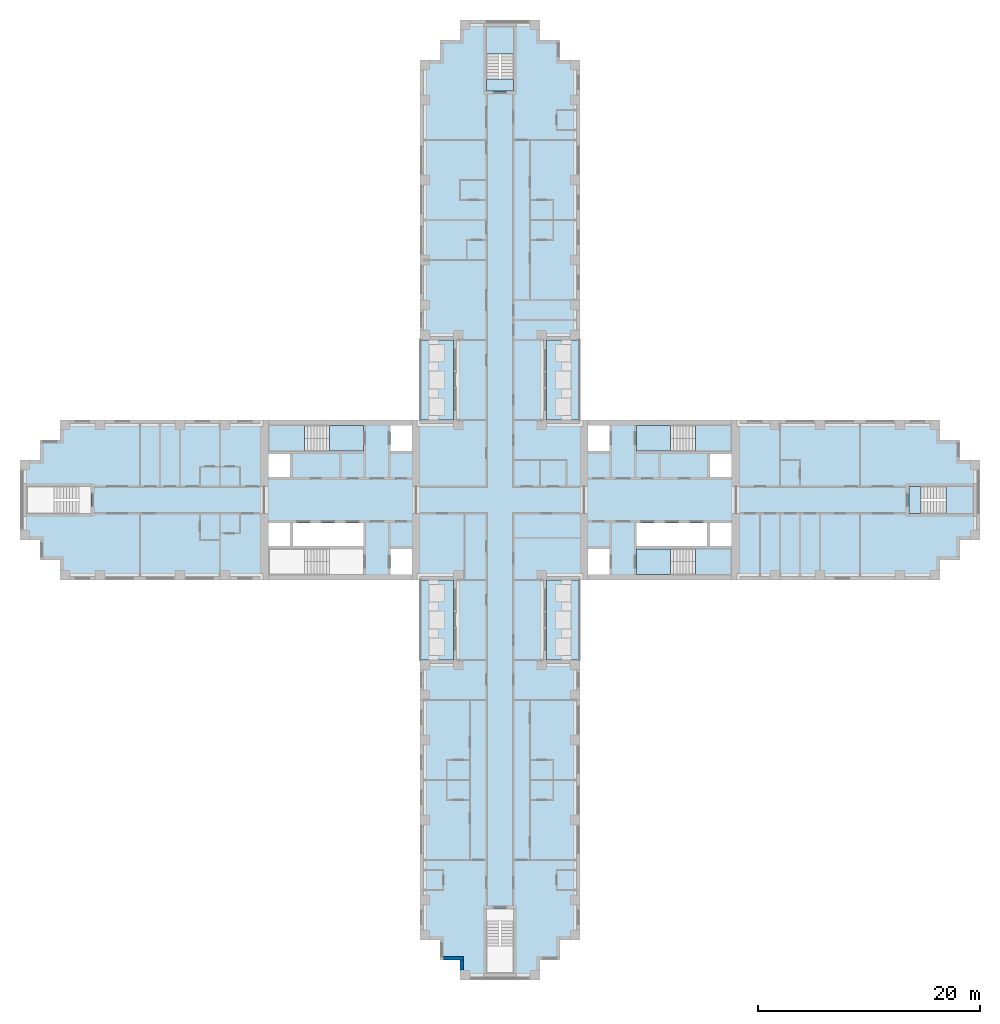
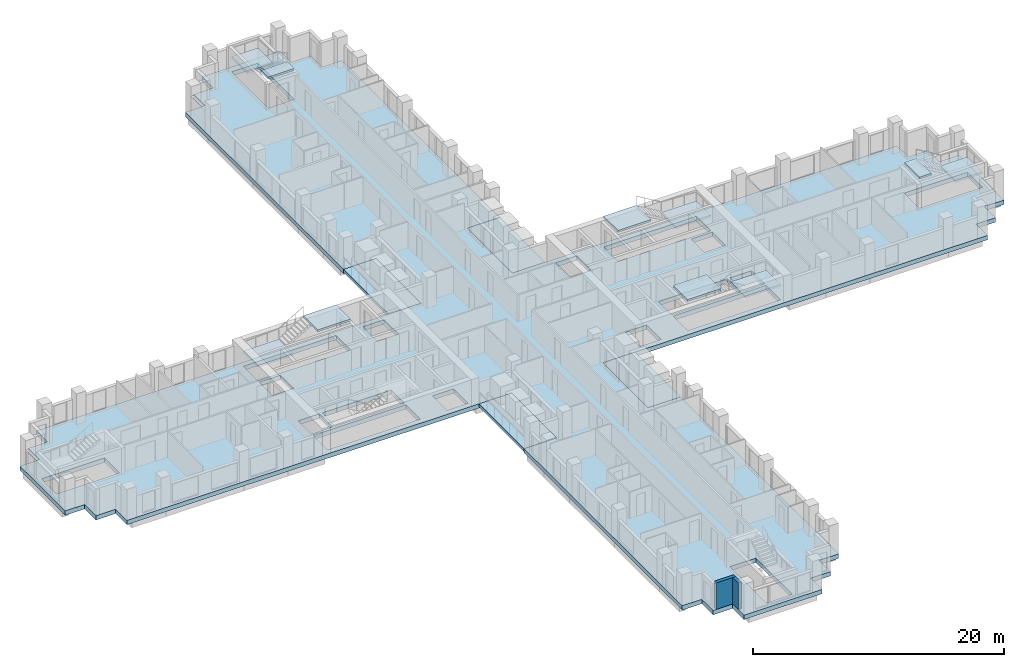
# One storey, part 2 of 15: 15 slabs, 2 walls, 5 elements without a shape of their own.
"""IFC4 building model written with IfcOpenShell, lengths in metres."""

from ifc_helpers import new_model, si_unit, direction, frame, frame_2d, origin, place, context, subcontext, project, spatial, polyline, rectangle, outline, extrude, material, layer, layer_set, type_object, element, aggregate, save


model = new_model("IFC4")

# Units and contexts
model_context = context("Model", 3, precision=1e-05, world=origin(), true_north=direction((0.0, 1.0)))
body_context = subcontext(model_context, "Body", "Model", "MODEL_VIEW")
ifc_project = project(units=[si_unit("LENGTHUNIT", "METRE"), si_unit("AREAUNIT", "SQUARE_METRE"), si_unit("VOLUMEUNIT", "CUBIC_METRE"), si_unit("PLANEANGLEUNIT", "RADIAN"), si_unit("MASSUNIT", "GRAM", prefix="KILO")], contexts=[model_context])

# Site, building, storey
site_placement = place(None, origin())
site = spatial("IfcSite", under=ifc_project, at=site_placement, CompositionType="ELEMENT")
building_placement = place(site_placement, origin())
building = spatial("IfcBuilding", under=site, at=building_placement, Name="Fustian Cross Tower", CompositionType="ELEMENT")
storey_placement = place(building_placement, frame((0.0, 0.0, 47.699951171875)))
storey = spatial("IfcBuildingStorey", under=building, at=storey_placement, Name="L14", CompositionType="ELEMENT", Elevation=47.699951171875)

# Slabs
ifc_material_1 = material(Name="Concrete C40/50", Category="concrete")
ifc_layer_1 = layer(ifc_material_1, 0.300048828125)
ifc_layer_set_1 = layer_set([ifc_layer_1], Name="Concrete C40/50")
slab_type_1 = type_object("IfcSlabType", Name="BS1 BALCONY SLAB 300", PredefinedType="FLOOR", material=ifc_layer_set_1)
slab_1_placement = place(storey_placement, frame((0.0, 0.0, -0.300048828125)))
element("IfcSlab", 1, at=slab_1_placement, inside=storey, type_object=slab_type_1, Name="Balcony slab", PredefinedType="FLOOR", context=body_context, shape_type="SweptSolid", body=[
    extrude(outline(polyline([(4.199951171875, 7.199951171875), (7.199951171875, 7.199951171875), (7.199951171875, 14.39990234375), (4.199951171875, 14.39990234375), (4.199951171875, 7.199951171875)])), origin(), (0.0, 0.0, 1.0), 0.300048828125),
])
slab_2_placement = place(storey_placement, frame((0.0, 0.0, -0.300048828125)))
element("IfcSlab", 2, at=slab_2_placement, inside=storey, type_object=slab_type_1, Name="Balcony slab", PredefinedType="FLOOR", context=body_context, shape_type="SweptSolid", body=[
    extrude(outline(polyline([(-7.199951171875, 7.199951171875), (-4.199951171875, 7.199951171875), (-4.199951171875, 14.39990234375), (-7.199951171875, 14.39990234375), (-7.199951171875, 7.199951171875)])), origin(), (0.0, 0.0, 1.0), 0.300048828125),
])
slab_3_placement = place(storey_placement, frame((0.0, 0.0, -0.300048828125)))
element("IfcSlab", 3, at=slab_3_placement, inside=storey, type_object=slab_type_1, Name="Balcony slab", PredefinedType="FLOOR", context=body_context, shape_type="SweptSolid", body=[
    extrude(outline(polyline([(4.199951171875, -14.39990234375), (7.199951171875, -14.39990234375), (7.199951171875, -7.199951171875), (4.199951171875, -7.199951171875), (4.199951171875, -14.39990234375)])), origin(), (0.0, 0.0, 1.0), 0.300048828125),
])
slab_4_placement = place(storey_placement, frame((0.0, 0.0, -0.300048828125)))
element("IfcSlab", 4, at=slab_4_placement, inside=storey, type_object=slab_type_1, Name="Balcony slab", PredefinedType="FLOOR", context=body_context, shape_type="SweptSolid", body=[
    extrude(outline(polyline([(-7.199951171875, -14.39990234375), (-4.199951171875, -14.39990234375), (-4.199951171875, -7.199951171875), (-7.199951171875, -7.199951171875), (-7.199951171875, -14.39990234375)])), origin(), (0.0, 0.0, 1.0), 0.300048828125),
])
ifc_material_2 = material(Name="Concrete C40/50", Category="concrete")
ifc_layer_2 = layer(ifc_material_2, 0.425048828125)
ifc_layer_set_2 = layer_set([ifc_layer_2], Name="Concrete C40/50")
slab_type_2 = type_object("IfcSlabType", Name="FLAT SLAB 425", PredefinedType="FLOOR", material=ifc_layer_set_2)
slab_5_placement = place(storey_placement, frame((0.0, 0.0, -0.425048828125)))
element("IfcSlab", 5, at=slab_5_placement, inside=storey, type_object=slab_type_2, Name="FLOOR SLAB L14-1", PredefinedType="FLOOR", context=body_context, shape_type="SweptSolid", body=[
    extrude(outline(polyline([(-4.199951171875, -7.199951171875), (-39.60009765625, -7.199951171875), (-39.60009765625, -5.39990234375), (-41.39990234375, -5.39990234375), (-41.39990234375, -3.60009765625), (-43.199951171875, -3.60009765625), (-43.199951171875, 3.60009765625), (-41.39990234375, 3.60009765625), (-41.39990234375, 5.39990234375), (-39.60009765625, 5.39990234375), (-39.60009765625, 7.199951171875), (-4.199951171875, 7.199951171875), (-4.199951171875, 14.39990234375), (-7.199951171875, 14.39990234375), (-7.199951171875, 39.60009765625), (-5.39990234375, 39.60009765625), (-5.39990234375, 41.39990234375), (-3.60009765625, 41.39990234375), (-3.60009765625, 43.199951171875), (3.60009765625, 43.199951171875), (3.60009765625, 41.39990234375), (5.39990234375, 41.39990234375), (5.39990234375, 39.60009765625), (7.199951171875, 39.60009765625), (7.199951171875, 14.39990234375), (4.199951171875, 14.39990234375), (4.199951171875, 7.199951171875), (39.60009765625, 7.199951171875), (39.60009765625, 5.39990234375), (41.39990234375, 5.39990234375), (41.39990234375, 3.60009765625), (43.199951171875, 3.60009765625), (43.199951171875, -3.60009765625), (41.39990234375, -3.60009765625), (41.39990234375, -5.39990234375), (39.60009765625, -5.39990234375), (39.60009765625, -7.199951171875), (4.199951171875, -7.199951171875), (4.199951171875, -14.39990234375), (7.199951171875, -14.39990234375), (7.199951171875, -39.60009765625), (5.39990234375, -39.60009765625), (5.39990234375, -41.39990234375), (3.60009765625, -41.39990234375), (3.60009765625, -43.199951171875), (-3.60009765625, -43.199951171875), (-3.60009765625, -41.39990234375), (-5.39990234375, -41.39990234375), (-5.39990234375, -39.60009765625), (-7.199951171875, -39.60009765625), (-7.199951171875, -14.39990234375), (-4.199951171875, -14.39990234375), (-4.199951171875, -7.199951171875)]), holes=[polyline([(18.89990234375, -2.050048828125), (18.89990234375, -4.14990234375), (20.85009765625, -4.14990234375), (20.85009765625, -2.050048828125), (18.89990234375, -2.050048828125)]), polyline([(20.85009765625, 4.14990234375), (18.89990234375, 4.14990234375), (18.89990234375, 2.050048828125), (20.85009765625, 2.050048828125), (20.85009765625, 4.14990234375)]), polyline([(9.85009765625, 4.39990234375), (9.85009765625, 6.699951171875), (7.89990234375, 6.699951171875), (7.89990234375, 4.39990234375), (9.85009765625, 4.39990234375)]), polyline([(7.89990234375, -6.699951171875), (9.85009765625, -6.699951171875), (9.85009765625, -4.39990234375), (7.89990234375, -4.39990234375), (7.89990234375, -6.699951171875)]), polyline([(-20.85009765625, -2.050048828125), (-20.85009765625, -4.14990234375), (-18.89990234375, -4.14990234375), (-18.89990234375, -2.050048828125), (-20.85009765625, -2.050048828125)]), polyline([(-18.89990234375, 4.14990234375), (-20.85009765625, 4.14990234375), (-20.85009765625, 2.050048828125), (-18.89990234375, 2.050048828125), (-18.89990234375, 4.14990234375)]), polyline([(-7.89990234375, 4.39990234375), (-7.89990234375, 6.699951171875), (-9.85009765625, 6.699951171875), (-9.85009765625, 4.39990234375), (-7.89990234375, 4.39990234375)]), polyline([(-9.85009765625, -6.699951171875), (-7.89990234375, -6.699951171875), (-7.89990234375, -4.39990234375), (-9.85009765625, -4.39990234375), (-9.85009765625, -6.699951171875)]), polyline([(12.300048828125, -2.050048828125), (12.300048828125, -4.14990234375), (18.64990234375, -4.14990234375), (18.64990234375, -2.050048828125), (12.300048828125, -2.050048828125)]), polyline([(-12.300048828125, -2.050048828125), (-18.64990234375, -2.050048828125), (-18.64990234375, -4.14990234375), (-12.300048828125, -4.14990234375), (-12.300048828125, -2.050048828125)]), polyline([(20.85009765625, 4.39990234375), (20.85009765625, 6.699951171875), (12.300048828125, 6.699951171875), (12.300048828125, 4.39990234375), (20.85009765625, 4.39990234375)]), polyline([(12.300048828125, -6.699951171875), (20.85009765625, -6.699951171875), (20.85009765625, -4.39990234375), (12.300048828125, -4.39990234375), (12.300048828125, -6.699951171875)]), polyline([(-20.85009765625, 6.699951171875), (-20.85009765625, 4.39990234375), (-12.300048828125, 4.39990234375), (-12.300048828125, 6.699951171875), (-20.85009765625, 6.699951171875)]), polyline([(-12.300048828125, -4.39990234375), (-20.85009765625, -4.39990234375), (-20.85009765625, -6.699951171875), (-12.300048828125, -6.699951171875), (-12.300048828125, -4.39990234375)]), polyline([(1.199951171875, 36.800048828125), (1.199951171875, 42.60009765625), (-1.199951171875, 42.60009765625), (-1.199951171875, 36.800048828125), (1.199951171875, 36.800048828125)]), polyline([(-1.199951171875, -42.60009765625), (1.199951171875, -42.60009765625), (1.199951171875, -36.800048828125), (-1.199951171875, -36.800048828125), (-1.199951171875, -42.60009765625)]), polyline([(36.800048828125, 1.199951171875), (36.800048828125, -1.199951171875), (42.60009765625, -1.199951171875), (42.60009765625, 1.199951171875), (36.800048828125, 1.199951171875)]), polyline([(-36.800048828125, 1.199951171875), (-42.60009765625, 1.199951171875), (-42.60009765625, -1.199951171875), (-36.800048828125, -1.199951171875), (-36.800048828125, 1.199951171875)])]), origin(), (0.0, 0.0, 1.0), 0.425048828125),
])

# Stair, slabs
ifc_material_3 = material(Name="Concrete C50/60", Category="concrete")
stair_type_1 = type_object("IfcStairType", Name="STAIR 1150 HALF TURN", PredefinedType="HALF_TURN_STAIR", material=ifc_material_3)
stair_1_placement = place(storey_placement, origin())
stair_1 = element("IfcStair", 6, at=stair_1_placement, inside=storey, type_object=stair_type_1, Name="Stair ST1", PredefinedType="HALF_TURN_STAIR")
ifc_material_4 = material(Name="Concrete C50/60", Category="concrete")
ifc_layer_3 = layer(ifc_material_4, 0.199951171875)
ifc_layer_set_3 = layer_set([ifc_layer_3], Name="Concrete C50/60")
slab_type_3 = type_object("IfcSlabType", Name="STAIR LANDING", PredefinedType="LANDING", material=ifc_layer_set_3)
slab_6_placement = place(storey_placement, frame((0.0, 0.0, 1.300048828125)))
slab_6 = element("IfcSlab", 7, at=slab_6_placement, type_object=slab_type_3, Name="ST1 landing 1", PredefinedType="LANDING", context=body_context, shape_type="SweptSolid", body=[
    extrude(outline(polyline([(17.590087890625, 4.39990234375), (20.85009765625, 4.39990234375), (20.85009765625, 6.699951171875), (17.590087890625, 6.699951171875), (17.590087890625, 4.39990234375)])), origin(), (0.0, 0.0, 1.0), 0.199951171875),
])
slab_7_placement = place(storey_placement, frame((0.0, 0.0, 2.800048828125)))
slab_7 = element("IfcSlab", 8, at=slab_7_placement, type_object=slab_type_3, Name="ST1 landing 2", PredefinedType="LANDING", context=body_context, shape_type="SweptSolid", body=[
    extrude(outline(polyline([(12.300048828125, 4.39990234375), (15.35009765625, 4.39990234375), (15.35009765625, 6.699951171875), (12.300048828125, 6.699951171875), (12.300048828125, 4.39990234375)])), origin(), (0.0, 0.0, 1.0), 0.199951171875),
])
aggregate(stair_1, [slab_6, slab_7])

stair_2_placement = place(storey_placement, origin())
stair_2 = element("IfcStair", 9, at=stair_2_placement, inside=storey, type_object=stair_type_1, Name="Stair ST2", PredefinedType="HALF_TURN_STAIR")
slab_8_placement = place(storey_placement, frame((0.0, 0.0, 1.300048828125)))
slab_8 = element("IfcSlab", 10, at=slab_8_placement, type_object=slab_type_3, Name="ST2 landing 1", PredefinedType="LANDING", context=body_context, shape_type="SweptSolid", body=[
    extrude(outline(polyline([(17.590087890625, -4.39990234375), (20.85009765625, -4.39990234375), (20.85009765625, -6.699951171875), (17.590087890625, -6.699951171875), (17.590087890625, -4.39990234375)])), origin(), (0.0, 0.0, 1.0), 0.199951171875),
])
slab_9_placement = place(storey_placement, frame((0.0, 0.0, 2.800048828125)))
slab_9 = element("IfcSlab", 11, at=slab_9_placement, type_object=slab_type_3, Name="ST2 landing 2", PredefinedType="LANDING", context=body_context, shape_type="SweptSolid", body=[
    extrude(outline(polyline([(12.300048828125, -4.39990234375), (15.35009765625, -4.39990234375), (15.35009765625, -6.699951171875), (12.300048828125, -6.699951171875), (12.300048828125, -4.39990234375)])), origin(), (0.0, 0.0, 1.0), 0.199951171875),
])
aggregate(stair_2, [slab_8, slab_9])

stair_3_placement = place(storey_placement, origin())
stair_3 = element("IfcStair", 12, at=stair_3_placement, inside=storey, type_object=stair_type_1, Name="Stair ST3", PredefinedType="HALF_TURN_STAIR")
slab_10_placement = place(storey_placement, frame((0.0, 0.0, 1.300048828125)))
slab_10 = element("IfcSlab", 13, at=slab_10_placement, type_object=slab_type_3, Name="ST3 landing 1", PredefinedType="LANDING", context=body_context, shape_type="SweptSolid", body=[
    extrude(outline(polyline([(-17.590087890625, 4.39990234375), (-20.85009765625, 4.39990234375), (-20.85009765625, 6.699951171875), (-17.590087890625, 6.699951171875), (-17.590087890625, 4.39990234375)])), origin(), (0.0, 0.0, 1.0), 0.199951171875),
])
slab_11_placement = place(storey_placement, frame((0.0, 0.0, 2.800048828125)))
slab_11 = element("IfcSlab", 14, at=slab_11_placement, type_object=slab_type_3, Name="ST3 landing 2", PredefinedType="LANDING", context=body_context, shape_type="SweptSolid", body=[
    extrude(outline(polyline([(-12.300048828125, 4.39990234375), (-15.35009765625, 4.39990234375), (-15.35009765625, 6.699951171875), (-12.300048828125, 6.699951171875), (-12.300048828125, 4.39990234375)])), origin(), (0.0, 0.0, 1.0), 0.199951171875),
])
aggregate(stair_3, [slab_10, slab_11])

ifc_material_5 = material(Name="Concrete C50/60", Category="concrete")
stair_type_2 = type_object("IfcStairType", Name="STAIR 1100 HALF TURN", PredefinedType="HALF_TURN_STAIR", material=ifc_material_5)
stair_4_placement = place(storey_placement, origin())
stair_4 = element("IfcStair", 15, at=stair_4_placement, inside=storey, type_object=stair_type_2, Name="Stair ST5", PredefinedType="HALF_TURN_STAIR")
slab_12_placement = place(storey_placement, frame((0.0, 0.0, 1.300048828125)))
slab_12 = element("IfcSlab", 16, at=slab_12_placement, type_object=slab_type_3, Name="ST5 landing 1", PredefinedType="LANDING", context=body_context, shape_type="SweptSolid", body=[
    extrude(outline(polyline([(-1.199951171875, 40.139892578125), (-1.199951171875, 42.60009765625), (1.199951171875, 42.60009765625), (1.199951171875, 40.139892578125), (-1.199951171875, 40.139892578125)])), origin(), (0.0, 0.0, 1.0), 0.199951171875),
])
slab_13_placement = place(storey_placement, frame((0.0, 0.0, 2.800048828125)))
slab_13 = element("IfcSlab", 17, at=slab_13_placement, type_object=slab_type_3, Name="ST5 landing 2", PredefinedType="LANDING", context=body_context, shape_type="SweptSolid", body=[
    extrude(outline(polyline([(-1.199951171875, 36.800048828125), (-1.199951171875, 37.89990234375), (1.199951171875, 37.89990234375), (1.199951171875, 36.800048828125), (-1.199951171875, 36.800048828125)])), origin(), (0.0, 0.0, 1.0), 0.199951171875),
])
aggregate(stair_4, [slab_12, slab_13])

stair_5_placement = place(storey_placement, origin())
stair_5 = element("IfcStair", 18, at=stair_5_placement, inside=storey, type_object=stair_type_2, Name="Stair ST8", PredefinedType="HALF_TURN_STAIR")
slab_14_placement = place(storey_placement, frame((0.0, 0.0, 1.300048828125)))
slab_14 = element("IfcSlab", 19, at=slab_14_placement, type_object=slab_type_3, Name="ST8 landing 1", PredefinedType="LANDING", context=body_context, shape_type="SweptSolid", body=[
    extrude(outline(polyline([(40.139892578125, -1.199951171875), (42.60009765625, -1.199951171875), (42.60009765625, 1.199951171875), (40.139892578125, 1.199951171875), (40.139892578125, -1.199951171875)])), origin(), (0.0, 0.0, 1.0), 0.199951171875),
])
slab_15_placement = place(storey_placement, frame((0.0, 0.0, 2.800048828125)))
slab_15 = element("IfcSlab", 20, at=slab_15_placement, type_object=slab_type_3, Name="ST8 landing 2", PredefinedType="LANDING", context=body_context, shape_type="SweptSolid", body=[
    extrude(outline(polyline([(36.800048828125, -1.199951171875), (37.89990234375, -1.199951171875), (37.89990234375, 1.199951171875), (36.800048828125, 1.199951171875), (36.800048828125, -1.199951171875)])), origin(), (0.0, 0.0, 1.0), 0.199951171875),
])
aggregate(stair_5, [slab_14, slab_15])

# Walls
ifc_material_6 = material(Name="Dark aluminium cladding on insulated backing wall", Category="aluminium")
ifc_layer_4 = layer(ifc_material_6, 0.300048828125)
ifc_layer_set_4 = layer_set([ifc_layer_4], Name="Dark aluminium cladding on insulated backing wall")
wall_type = type_object("IfcWallType", Name="XW1 EXTERNAL WALL 300", PredefinedType="SOLIDWALL", material=ifc_layer_set_4)
wall_1_placement = place(storey_placement, frame((-5.10009765625, -41.25, 0.0), z_axis=(0.0, 0.0, 1.0), x_axis=(1.0, 0.0, 0.0)))
element("IfcWall", 21, at=wall_1_placement, inside=storey, type_object=wall_type, Name="External wall", PredefinedType="SOLIDWALL", context=body_context, shape_type="SweptSolid", body=[
    extrude(rectangle(XDim=1.800048828125, YDim=0.300048828125, at=frame_2d((0.89990234375, 0.0))), origin(), (0.0, 0.0, 1.0), 2.574951171875),
])
wall_2_placement = place(storey_placement, frame((-3.449951171875, -41.39990234375, 0.0), z_axis=(0.0, 0.0, 1.0), x_axis=(0.0, -1.0, 0.0)))
element("IfcWall", 22, at=wall_2_placement, inside=storey, type_object=wall_type, Name="External wall", PredefinedType="SOLIDWALL", context=body_context, shape_type="SweptSolid", body=[
    extrude(rectangle(XDim=0.900146484375, YDim=0.300048828125, at=frame_2d((0.4501953125, 0.0))), origin(), (0.0, 0.0, 1.0), 2.574951171875),
])

save(model, "model.ifc")
